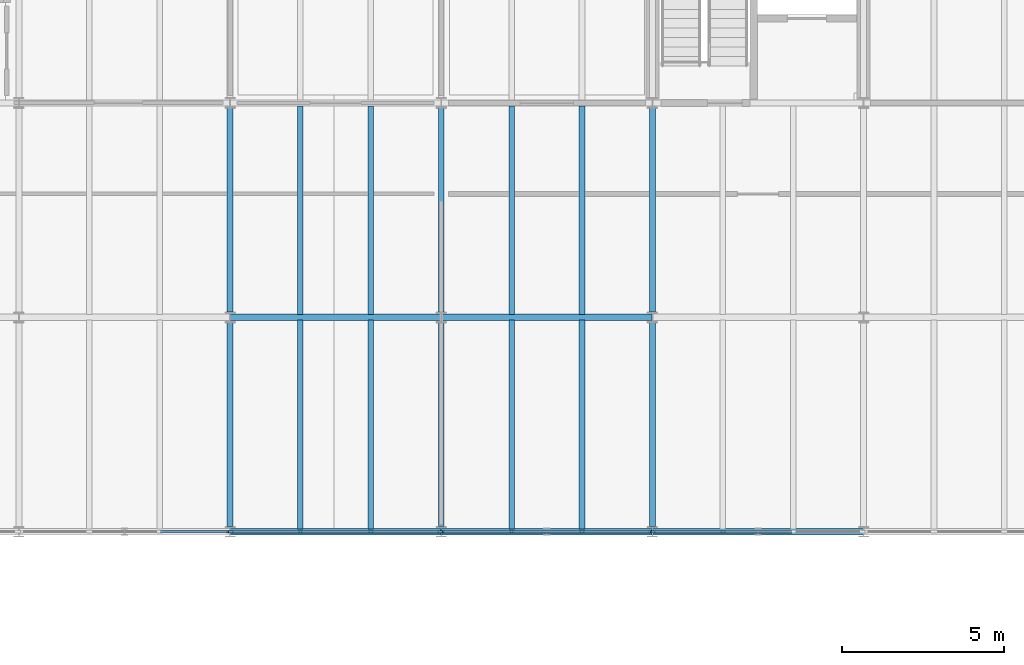
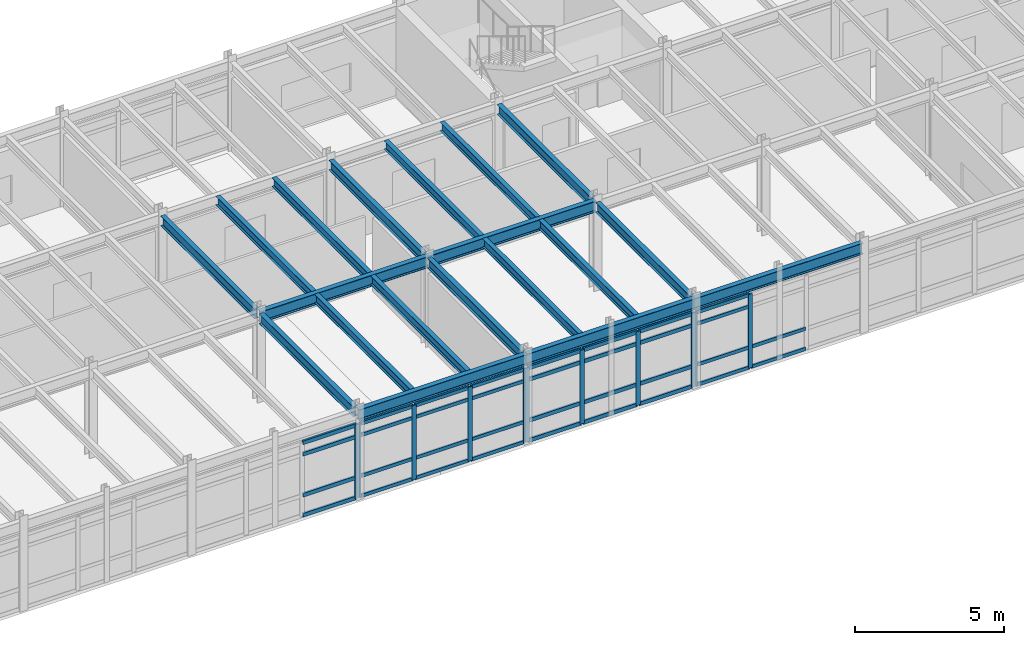
# One storey, part 22 of 49: 45 members, 19 beams, 4 elements without a shape of their own.
"""IFC4 building model written with IfcOpenShell, lengths in metres."""

import ifcopenshell
import ifcopenshell.guid

model = None  # the IFC model being written
_history = None  # IfcOwnerHistory: only IFC2X3 demands one
_inside = {}  # id of a spatial element -> (the spatial element, [elements in it])
_under = {}  # id of a project, library or spatial element -> (it, [spatial elements below it])
_declared = {}  # id of a project -> (the project, [libraries it declares])
_typed = {}  # id of a type object -> (the type object, [elements of that type])
_made_of = {}  # id of a material, layer set ... -> (it, [elements and type objects made of it])


def new_model(schema):
    """Start an empty IFC model of exactly this schema.

    Asked for "IFC4X3", IfcOpenShell would pick the latest addendum, in which some entities
    have other attributes; the version numbers below select the first issue.
    IFC2X3 requires an IfcOwnerHistory on every rooted entity: one is made here for all.
    """
    global model, _history
    if schema == "IFC4X3":
        model = ifcopenshell.file(schema_version=(4, 3, 0, 0))
    else:
        model = ifcopenshell.file(schema=schema)
    _inside.clear()
    _under.clear()
    _declared.clear()
    _typed.clear()
    _made_of.clear()
    _history = None
    if model.schema == "IFC2X3":
        org = make("IfcOrganization", Name="unknown")
        user = make(
            "IfcPersonAndOrganization",
            ThePerson=make("IfcPerson", FamilyName="unknown"),
            TheOrganization=org,
        )
        app = make(
            "IfcApplication",
            ApplicationDeveloper=org,
            Version="unknown",
            ApplicationFullName="unknown",
            ApplicationIdentifier="unknown",
        )
        _history = make(
            "IfcOwnerHistory",
            OwningUser=user,
            OwningApplication=app,
            ChangeAction="ADDED",
            CreationDate=0,
        )
    return model


def make(cls, **values):
    """One entity of the class cls with the attributes given. An attribute that is None is left unset."""
    return model.create_entity(
        cls, **{name: value for name, value in values.items() if value is not None}
    )


def rooted(cls, **values):
    """An entity with a GlobalId (a new one), such as an element, a storey or a relation."""
    return make(cls, GlobalId=ifcopenshell.guid.new(), OwnerHistory=_history, **values)


def si_unit(unit_type, name, prefix=None):
    """IfcSIUnit, for example si_unit("LENGTHUNIT", "METRE", prefix="MILLI")."""
    return make("IfcSIUnit", UnitType=unit_type, Prefix=prefix, Name=name)


def assignment(units):
    """IfcUnitAssignment: the units of a project."""
    return None if units is None else make("IfcUnitAssignment", Units=units)


def point(xyz):
    """IfcCartesianPoint."""
    return None if xyz is None else make("IfcCartesianPoint", Coordinates=xyz)


def direction(xyz):
    """IfcDirection."""
    return None if xyz is None else make("IfcDirection", DirectionRatios=xyz)


def frame(location, z_axis=None, x_axis=None):
    """IfcAxis2Placement3D, a coordinate frame: its origin and axes. An axis left out is left unset."""
    return make(
        "IfcAxis2Placement3D",
        Location=point(location),
        Axis=direction(z_axis),
        RefDirection=direction(x_axis),
    )


def frame_2d(location, x_axis=None):
    """IfcAxis2Placement2D, a coordinate frame in the plane: its origin and x axis."""
    return make(
        "IfcAxis2Placement2D", Location=point(location), RefDirection=direction(x_axis)
    )


def origin():
    """The frame at (0, 0, 0) with its axes left unset."""
    return frame((0.0, 0.0, 0.0))


def origin_2d():
    """The frame at (0, 0) in the plane with its x axis left unset."""
    return frame_2d((0.0, 0.0))


def place(relative_to, where):
    """IfcLocalPlacement: puts the frame where relative to a parent placement (None: the world)."""
    return make(
        "IfcLocalPlacement", PlacementRelTo=relative_to, RelativePlacement=where
    )


def context(
    kind, dimensions, precision=None, world=None, true_north=None, identifier=None
):
    """IfcGeometricRepresentationContext, for example the 3D "Model" context."""
    return make(
        "IfcGeometricRepresentationContext",
        ContextIdentifier=identifier,
        ContextType=kind,
        CoordinateSpaceDimension=dimensions,
        Precision=precision,
        WorldCoordinateSystem=world,
        TrueNorth=true_north,
    )


def subcontext(parent, identifier, kind, view, scale=None):
    """IfcGeometricRepresentationSubContext, for example "Body" below "Model"."""
    return make(
        "IfcGeometricRepresentationSubContext",
        ContextIdentifier=identifier,
        ContextType=kind,
        ParentContext=parent,
        TargetScale=scale,
        TargetView=view,
    )


def project(units=None, contexts=None):
    """IfcProject with its units and contexts."""
    return rooted(
        "IfcProject",
        Name="project",
        RepresentationContexts=contexts,
        UnitsInContext=assignment(units),
    )


def spatial(cls, under=None, at=None, **own):
    """A site, building, storey or space (cls), placed at a placement, below another one or the project."""
    s = rooted(cls, ObjectPlacement=at, **own)
    if under is not None:
        _under.setdefault(under.id(), (under, []))[1].append(s)
    return s


def profile(cls, at=None, kind="AREA", **sizes):
    """A parametric profile (cls). Its sizes go by their IFC names, for example OverallWidth=200.0."""
    return make(cls, ProfileType=kind, Position=at, **sizes)


def rectangle(**sizes):
    """IfcRectangleProfileDef."""
    return profile("IfcRectangleProfileDef", **sizes)


def i_section(**sizes):
    """IfcIShapeProfileDef."""
    return profile("IfcIShapeProfileDef", **sizes)


def extrude(swept, where, along, depth):
    """IfcExtrudedAreaSolid: the profile swept, set in the frame where, extruded along a direction by depth."""
    return make(
        "IfcExtrudedAreaSolid",
        SweptArea=swept,
        Position=where,
        ExtrudedDirection=direction(along),
        Depth=depth,
    )


def shape(context_of_items, identifier, shape_type, items):
    """IfcShapeRepresentation: the items that make up one representation, for example the "Body"."""
    return make(
        "IfcShapeRepresentation",
        ContextOfItems=context_of_items,
        RepresentationIdentifier=identifier,
        RepresentationType=shape_type,
        Items=items,
    )


def material(Name=None, Category=None):
    """IfcMaterial."""
    return make("IfcMaterial", Name=Name, Category=Category)


def layer(
    of_material, thickness, ventilated=None, Name=None, Category=None, Priority=None
):
    """IfcMaterialLayer: one layer of a wall or slab, of a material (None: an air gap)."""
    return make(
        "IfcMaterialLayer",
        Material=of_material,
        LayerThickness=thickness,
        IsVentilated=ventilated,
        Name=Name,
        Category=Category,
        Priority=Priority,
    )


def layer_set(layers, Name=None):
    """IfcMaterialLayerSet."""
    return make("IfcMaterialLayerSet", MaterialLayers=layers, LayerSetName=Name)


def material_profile(
    of_material, cross_section, Name=None, Category=None, Priority=None
):
    """IfcMaterialProfile: a cross section and its material."""
    return make(
        "IfcMaterialProfile",
        Name=Name,
        Material=of_material,
        Profile=cross_section,
        Priority=Priority,
        Category=Category,
    )


def profile_set(profiles, Name=None, composite=None):
    """IfcMaterialProfileSet."""
    return make(
        "IfcMaterialProfileSet",
        Name=Name,
        MaterialProfiles=profiles,
        CompositeProfile=composite,
    )


def made_of(thing, what):
    """Note that an element or type object is made of a material, layer set ...; save() writes the relation."""
    if what is not None:
        _made_of.setdefault(what.id(), (what, []))[1].append(thing)
    return thing


def type_object(cls, material=None, **own):
    """A type object (cls), such as IfcWallType, which elements share."""
    return made_of(rooted(cls, **own), material)


def element(
    cls,
    number,
    at=None,
    inside=None,
    cuts=None,
    type_object=None,
    material=None,
    context=None,
    identifier="Body",
    shape_type=None,
    held_by="IfcProductDefinitionShape",
    body=None,
    shapes=None,
    **own,
):
    """One element of the class cls, such as IfcWall. Its Tag is "e" and its number.

    at: its placement. inside: the storey or other place that contains it. cuts: it is an
    opening in that element (IfcRelVoidsElement). A single representation is given by context,
    identifier, shape_type and body (its items); several are given by shapes. held_by: the class
    of the entity that holds the representations. save() writes the other relations.
    """
    e = rooted(cls, Tag="e%d" % number, ObjectPlacement=at, **own)
    if body is not None:
        shapes = [shape(context, identifier, shape_type, body)]
    if shapes is not None:
        e.Representation = make(held_by, Representations=shapes)
    if inside is not None:
        _inside.setdefault(inside.id(), (inside, []))[1].append(e)
    if cuts is not None:
        rooted(
            "IfcRelVoidsElement", RelatingBuildingElement=cuts, RelatedOpeningElement=e
        )
    if type_object is not None:
        _typed.setdefault(type_object.id(), (type_object, []))[1].append(e)
    return made_of(e, material)


def aggregate(whole, parts):
    """IfcRelAggregates: a whole, such as a stair, and the parts it consists of."""
    return rooted("IfcRelAggregates", RelatingObject=whole, RelatedObjects=parts)


def save(model, path):
    """Write the relations noted so far, then the file.

    IfcRelAggregates (storeys below a building ...), IfcRelContainedInSpatialStructure (elements
    in a storey), IfcRelDefinesByType, IfcRelAssociatesMaterial and IfcRelDeclares: one each for
    every whole, place, type object, material and project.
    """
    for whole, parts in _under.values():
        aggregate(whole, parts)
    for where, things in _inside.values():
        rooted(
            "IfcRelContainedInSpatialStructure",
            RelatedElements=things,
            RelatingStructure=where,
        )
    for kind, things in _typed.values():
        rooted("IfcRelDefinesByType", RelatedObjects=things, RelatingType=kind)
    for what, things in _made_of.values():
        rooted("IfcRelAssociatesMaterial", RelatedObjects=things, RelatingMaterial=what)
    for by, libraries in _declared.values():
        rooted("IfcRelDeclares", RelatingContext=by, RelatedDefinitions=libraries)
    model.write(path)


model = new_model("IFC4")

# Units and contexts
model_context = context("Model", 3, precision=1e-05, world=origin(), true_north=direction((0.0, 1.0)))
body_context = subcontext(model_context, "Body", "Model", "MODEL_VIEW")
ifc_project = project(units=[si_unit("LENGTHUNIT", "METRE"), si_unit("AREAUNIT", "SQUARE_METRE"), si_unit("VOLUMEUNIT", "CUBIC_METRE"), si_unit("PLANEANGLEUNIT", "RADIAN"), si_unit("MASSUNIT", "GRAM", prefix="KILO")], contexts=[model_context])

# Site, building, storey
site_placement = place(None, origin())
site = spatial("IfcSite", under=ifc_project, at=site_placement, CompositionType="ELEMENT")
building_placement = place(site_placement, origin())
building = spatial("IfcBuilding", under=site, at=building_placement, Name="Trelmorton Wharf Fire Station", CompositionType="ELEMENT")
storey_placement = place(building_placement, frame((0.0, 0.0, 9.60009765625)))
storey = spatial("IfcBuildingStorey", under=building, at=storey_placement, Name="L02", CompositionType="ELEMENT", Elevation=9.60009765625)

# Beams
ifc_material_1 = material(Name="Steel Grade 350", Category="steel")
ifc_material_profile_1 = material_profile(ifc_material_1, i_section(OverallWidth=0.177978515625, OverallDepth=0.406005859375, WebThickness=0.0078125, FlangeThickness=0.0126953125, FilletRadius=0.011474609375, at=origin_2d()), Name="410UB59.7")
ifc_profile_set_1 = profile_set([ifc_material_profile_1], Name="Steel Grade 350")
beam_type_1 = type_object("IfcBeamType", Name="BM_410UB60", PredefinedType="BEAM", material=ifc_profile_set_1)
beam_1_placement = place(storey_placement, frame((130.0, 7.95654296875, 3.427001953125), z_axis=(0.0, 1.0, 0.0), x_axis=(-1.0, 0.0, 0.0)))
element("IfcBeam", 1, at=beam_1_placement, inside=storey, type_object=beam_type_1, Name="BM-L02-0837", PredefinedType="BEAM", context=body_context, shape_type="SweptSolid", body=[
    extrude(i_section(OverallWidth=0.177978515625, OverallDepth=0.406005859375, WebThickness=0.0078125, FlangeThickness=0.0126953125, FilletRadius=0.011474609375, at=origin_2d()), origin(), (0.0, 0.0, 1.0), 6.286865234375),
])
beam_2_placement = place(storey_placement, frame((130.0, 14.556396484375, 3.427001953125), z_axis=(0.0, 1.0, 0.0), x_axis=(-1.0, 0.0, 0.0)))
element("IfcBeam", 2, at=beam_2_placement, inside=storey, type_object=beam_type_1, Name="BM-L02-0838", PredefinedType="BEAM", context=body_context, shape_type="SweptSolid", body=[
    extrude(i_section(OverallWidth=0.177978515625, OverallDepth=0.406005859375, WebThickness=0.0078125, FlangeThickness=0.0126953125, FilletRadius=0.011474609375, at=origin_2d()), origin(), (0.0, 0.0, 1.0), 6.287109375),
])
beam_3_placement = place(storey_placement, frame((136.5, 7.95654296875, 3.427001953125), z_axis=(0.0, 1.0, 0.0), x_axis=(-1.0, 0.0, 0.0)))
element("IfcBeam", 3, at=beam_3_placement, inside=storey, type_object=beam_type_1, Name="BM-L02-0843", PredefinedType="BEAM", context=body_context, shape_type="SweptSolid", body=[
    extrude(i_section(OverallWidth=0.177978515625, OverallDepth=0.406005859375, WebThickness=0.0078125, FlangeThickness=0.0126953125, FilletRadius=0.011474609375, at=origin_2d()), origin(), (0.0, 0.0, 1.0), 6.286865234375),
])
beam_4_placement = place(storey_placement, frame((136.5, 14.556396484375, 3.427001953125), z_axis=(0.0, 1.0, 0.0), x_axis=(-1.0, 0.0, 0.0)))
element("IfcBeam", 4, at=beam_4_placement, inside=storey, type_object=beam_type_1, Name="BM-L02-0844", PredefinedType="BEAM", context=body_context, shape_type="SweptSolid", body=[
    extrude(i_section(OverallWidth=0.177978515625, OverallDepth=0.406005859375, WebThickness=0.0078125, FlangeThickness=0.0126953125, FilletRadius=0.011474609375, at=origin_2d()), origin(), (0.0, 0.0, 1.0), 6.287109375),
])
beam_5_placement = place(storey_placement, frame((143.0, 7.95654296875, 3.427001953125), z_axis=(0.0, 1.0, 0.0), x_axis=(-1.0, 0.0, 0.0)))
element("IfcBeam", 5, at=beam_5_placement, inside=storey, type_object=beam_type_1, Name="BM-L02-0849", PredefinedType="BEAM", context=body_context, shape_type="SweptSolid", body=[
    extrude(i_section(OverallWidth=0.177978515625, OverallDepth=0.406005859375, WebThickness=0.0078125, FlangeThickness=0.0126953125, FilletRadius=0.011474609375, at=origin_2d()), origin(), (0.0, 0.0, 1.0), 6.286865234375),
])
beam_6_placement = place(storey_placement, frame((143.0, 14.556396484375, 3.427001953125), z_axis=(0.0, 1.0, 0.0), x_axis=(-1.0, 0.0, 0.0)))
element("IfcBeam", 6, at=beam_6_placement, inside=storey, type_object=beam_type_1, Name="BM-L02-0850", PredefinedType="BEAM", context=body_context, shape_type="SweptSolid", body=[
    extrude(i_section(OverallWidth=0.177978515625, OverallDepth=0.406005859375, WebThickness=0.0078125, FlangeThickness=0.0126953125, FilletRadius=0.011474609375, at=origin_2d()), origin(), (0.0, 0.0, 1.0), 6.287109375),
])
ifc_material_profile_2 = material_profile(ifc_material_1, i_section(OverallWidth=0.19091796875, OverallDepth=0.4599609375, WebThickness=0.010009765625, FlangeThickness=0.01611328125, FilletRadius=0.011474609375, at=origin_2d()), Name="460UB82.1")
ifc_profile_set_2 = profile_set([ifc_material_profile_2], Name="Steel Grade 350")
beam_type_2 = type_object("IfcBeamType", Name="BM_460UB82", PredefinedType="BEAM", material=ifc_profile_set_2)
for number, where, z_axis, x_axis, name in (
    (7, (130.0048828125, 14.39990234375, 3.39990234375), (1.0, 0.0, 0.0), (0.0, 1.0, 0.0), "BM-L02-0699"),
    (8, (136.5048828125, 14.39990234375, 3.39990234375), (1.0, 0.0, 0.0), (0.0, 1.0, 0.0), "BM-L02-0700"),
):
    element("IfcBeam", number, at=place(storey_placement, frame(where, z_axis=z_axis, x_axis=x_axis)), inside=storey, type_object=beam_type_2, Name=name, PredefinedType="BEAM", context=body_context, shape_type="SweptSolid", body=[
        extrude(i_section(OverallWidth=0.19091796875, OverallDepth=0.4599609375, WebThickness=0.010009765625, FlangeThickness=0.01611328125, FilletRadius=0.011474609375, at=origin_2d()), origin(), (0.0, 0.0, 1.0), 6.490234375),
    ])

# Curtain wall, members
ifc_material_2 = material(Name="Anodised aluminium AW-6063", Category="aluminium")
ifc_layer_1 = layer(ifc_material_2, 0.159912109375)
ifc_layer_set_1 = layer_set([ifc_layer_1], Name="Anodised aluminium AW-6063")
curtain_wall_type_1 = type_object("IfcCurtainWallType", Name="CW_CHIC_A", PredefinedType="USERDEFINED", material=ifc_layer_set_1)
curtain_wall_1_placement = place(storey_placement, origin())
curtain_wall_1 = element("IfcCurtainWall", 9, at=curtain_wall_1_placement, inside=storey, type_object=curtain_wall_type_1, Name="CW-V5-L02-053", ObjectType="CHICAGO BAY CURTAIN WALL", PredefinedType="USERDEFINED")
ifc_material_profile_3 = material_profile(ifc_material_2, rectangle(XDim=0.06494140625, YDim=0.159912109375, at=origin_2d()), Name="ALU-65x160")
ifc_profile_set_3 = profile_set([ifc_material_profile_3], Name="Anodised aluminium AW-6063")
member_type_1 = type_object("IfcMemberType", Name="CWM_65x160", PredefinedType="MULLION", material=ifc_profile_set_3)
member_1_placement = place(storey_placement, frame((136.465087890625, 7.800048828125, 0.0), z_axis=(0.0, 0.0, 1.0), x_axis=(0.0, -1.0, 0.0)))
member_1 = element("IfcMember", 10, at=member_1_placement, type_object=member_type_1, Name="CW1 mullion 1", PredefinedType="MULLION", context=body_context, shape_type="SweptSolid", body=[
    extrude(rectangle(XDim=0.06494140625, YDim=0.159912109375, at=origin_2d()), origin(), (0.0, 0.0, 1.0), 3.02001953125),
])
member_2_placement = place(storey_placement, frame((134.331787109375, 7.800048828125, 0.0), z_axis=(0.0, 0.0, 1.0), x_axis=(0.0, -1.0, 0.0)))
member_2 = element("IfcMember", 11, at=member_2_placement, type_object=member_type_1, Name="CW1 mullion 2", PredefinedType="MULLION", context=body_context, shape_type="SweptSolid", body=[
    extrude(rectangle(XDim=0.06494140625, YDim=0.159912109375, at=origin_2d()), origin(), (0.0, 0.0, 1.0), 3.02001953125),
])
member_3_placement = place(storey_placement, frame((132.168212890625, 7.800048828125, 0.0), z_axis=(0.0, 0.0, 1.0), x_axis=(0.0, -1.0, 0.0)))
member_3 = element("IfcMember", 12, at=member_3_placement, type_object=member_type_1, Name="CW1 mullion 3", PredefinedType="MULLION", context=body_context, shape_type="SweptSolid", body=[
    extrude(rectangle(XDim=0.06494140625, YDim=0.159912109375, at=origin_2d()), origin(), (0.0, 0.0, 1.0), 3.02001953125),
])
member_4_placement = place(storey_placement, frame((130.034912109375, 7.800048828125, 0.0), z_axis=(0.0, 0.0, 1.0), x_axis=(0.0, -1.0, 0.0)))
member_4 = element("IfcMember", 13, at=member_4_placement, type_object=member_type_1, Name="CW1 mullion 4", PredefinedType="MULLION", context=body_context, shape_type="SweptSolid", body=[
    extrude(rectangle(XDim=0.06494140625, YDim=0.159912109375, at=origin_2d()), origin(), (0.0, 0.0, 1.0), 3.02001953125),
])

curtain_wall_2_placement = place(storey_placement, origin())
curtain_wall_2 = element("IfcCurtainWall", 14, at=curtain_wall_2_placement, inside=storey, type_object=curtain_wall_type_1, Name="CW-V5-L02-055", ObjectType="CHICAGO BAY CURTAIN WALL", PredefinedType="USERDEFINED")
member_5_placement = place(storey_placement, frame((145.168212890625, 7.800048828125, 0.0), z_axis=(0.0, 0.0, 1.0), x_axis=(0.0, -1.0, 0.0)))
member_5 = element("IfcMember", 15, at=member_5_placement, type_object=member_type_1, Name="CW1 mullion 3", PredefinedType="MULLION", context=body_context, shape_type="SweptSolid", body=[
    extrude(rectangle(XDim=0.06494140625, YDim=0.159912109375, at=origin_2d()), origin(), (0.0, 0.0, 1.0), 3.02001953125),
])
member_6_placement = place(storey_placement, frame((143.034912109375, 7.800048828125, 0.0), z_axis=(0.0, 0.0, 1.0), x_axis=(0.0, -1.0, 0.0)))
member_6 = element("IfcMember", 16, at=member_6_placement, type_object=member_type_1, Name="CW1 mullion 4", PredefinedType="MULLION", context=body_context, shape_type="SweptSolid", body=[
    extrude(rectangle(XDim=0.06494140625, YDim=0.159912109375, at=origin_2d()), origin(), (0.0, 0.0, 1.0), 3.02001953125),
])

# Curtain wall, member
ifc_layer_2 = layer(ifc_material_2, 0.175048828125)
ifc_layer_set_2 = layer_set([ifc_layer_2], Name="Anodised aluminium AW-6063")
curtain_wall_type_2 = type_object("IfcCurtainWallType", Name="CW_CHIC_B", PredefinedType="USERDEFINED", material=ifc_layer_set_2)
curtain_wall_3_placement = place(storey_placement, origin())
curtain_wall_3 = element("IfcCurtainWall", 17, at=curtain_wall_3_placement, inside=storey, type_object=curtain_wall_type_2, Name="CW-V5-L02-052", ObjectType="CHICAGO BAY CURTAIN WALL", PredefinedType="USERDEFINED")
ifc_material_profile_4 = material_profile(ifc_material_2, rectangle(XDim=0.074951171875, YDim=0.175048828125, at=origin_2d()), Name="ALU-75x175")
ifc_profile_set_4 = profile_set([ifc_material_profile_4], Name="Anodised aluminium AW-6063")
member_type_2 = type_object("IfcMemberType", Name="CWM_75x175", PredefinedType="MULLION", material=ifc_profile_set_4)
member_7_placement = place(storey_placement, frame((129.965087890625, 7.800048828125, 0.0), z_axis=(0.0, 0.0, 1.0), x_axis=(0.0, -1.0, 0.0)))
member_7 = element("IfcMember", 18, at=member_7_placement, type_object=member_type_2, Name="CW2 mullion 1", PredefinedType="MULLION", context=body_context, shape_type="SweptSolid", body=[
    extrude(rectangle(XDim=0.074951171875, YDim=0.175048828125, at=origin_2d()), origin(), (0.0, 0.0, 1.0), 3.02001953125),
])

# Curtain wall, members
curtain_wall_4_placement = place(storey_placement, origin())
curtain_wall_4 = element("IfcCurtainWall", 19, at=curtain_wall_4_placement, inside=storey, type_object=curtain_wall_type_2, Name="CW-V5-L02-054", ObjectType="CHICAGO BAY CURTAIN WALL", PredefinedType="USERDEFINED")
member_8_placement = place(storey_placement, frame((142.965087890625, 7.800048828125, 0.0), z_axis=(0.0, 0.0, 1.0), x_axis=(0.0, -1.0, 0.0)))
member_8 = element("IfcMember", 20, at=member_8_placement, type_object=member_type_2, Name="CW2 mullion 1", PredefinedType="MULLION", context=body_context, shape_type="SweptSolid", body=[
    extrude(rectangle(XDim=0.074951171875, YDim=0.175048828125, at=origin_2d()), origin(), (0.0, 0.0, 1.0), 3.02001953125),
])
member_9_placement = place(storey_placement, frame((140.831787109375, 7.800048828125, 0.0), z_axis=(0.0, 0.0, 1.0), x_axis=(0.0, -1.0, 0.0)))
member_9 = element("IfcMember", 21, at=member_9_placement, type_object=member_type_2, Name="CW2 mullion 2", PredefinedType="MULLION", context=body_context, shape_type="SweptSolid", body=[
    extrude(rectangle(XDim=0.074951171875, YDim=0.175048828125, at=origin_2d()), origin(), (0.0, 0.0, 1.0), 3.02001953125),
])
member_10_placement = place(storey_placement, frame((138.668212890625, 7.800048828125, 0.0), z_axis=(0.0, 0.0, 1.0), x_axis=(0.0, -1.0, 0.0)))
member_10 = element("IfcMember", 22, at=member_10_placement, type_object=member_type_2, Name="CW2 mullion 3", PredefinedType="MULLION", context=body_context, shape_type="SweptSolid", body=[
    extrude(rectangle(XDim=0.074951171875, YDim=0.175048828125, at=origin_2d()), origin(), (0.0, 0.0, 1.0), 3.02001953125),
])
member_11_placement = place(storey_placement, frame((136.534912109375, 7.800048828125, 0.0), z_axis=(0.0, 0.0, 1.0), x_axis=(0.0, -1.0, 0.0)))
member_11 = element("IfcMember", 23, at=member_11_placement, type_object=member_type_2, Name="CW2 mullion 4", PredefinedType="MULLION", context=body_context, shape_type="SweptSolid", body=[
    extrude(rectangle(XDim=0.074951171875, YDim=0.175048828125, at=origin_2d()), origin(), (0.0, 0.0, 1.0), 3.02001953125),
])

# Member
ifc_material_profile_5 = material_profile(ifc_material_2, rectangle(XDim=0.06494140625, YDim=0.139892578125, at=origin_2d()), Name="ALU-65x140")
ifc_profile_set_5 = profile_set([ifc_material_profile_5], Name="Anodised aluminium AW-6063")
member_type_3 = type_object("IfcMemberType", Name="CWT_65x140", PredefinedType="USERDEFINED", material=ifc_profile_set_5)
member_12_placement = place(storey_placement, frame((136.43505859375, 7.800048828125, 0.02978515625), z_axis=(-1.0, 0.0, 0.0), x_axis=(0.0, -1.0, 0.0)))
member_12 = element("IfcMember", 24, at=member_12_placement, type_object=member_type_3, Name="CW1 transom 1.1", ObjectType="TRANSOM", PredefinedType="USERDEFINED", context=body_context, shape_type="SweptSolid", body=[
    extrude(rectangle(XDim=0.06494140625, YDim=0.139892578125, at=origin_2d()), origin(), (0.0, 0.0, 1.0), 2.073486328125),
])

member_13_placement = place(storey_placement, frame((136.43505859375, 7.800048828125, 0.849853515625), z_axis=(-1.0, 0.0, 0.0), x_axis=(0.0, -1.0, 0.0)))
member_13 = element("IfcMember", 25, at=member_13_placement, type_object=member_type_3, Name="CW1 transom 1.2", ObjectType="TRANSOM", PredefinedType="USERDEFINED", context=body_context, shape_type="SweptSolid", body=[
    extrude(rectangle(XDim=0.06494140625, YDim=0.139892578125, at=origin_2d()), origin(), (0.0, 0.0, 1.0), 2.073486328125),
])

member_14_placement = place(storey_placement, frame((136.43505859375, 7.800048828125, 2.52001953125), z_axis=(-1.0, 0.0, 0.0), x_axis=(0.0, -1.0, 0.0)))
member_14 = element("IfcMember", 26, at=member_14_placement, type_object=member_type_3, Name="CW1 transom 1.3", ObjectType="TRANSOM", PredefinedType="USERDEFINED", context=body_context, shape_type="SweptSolid", body=[
    extrude(rectangle(XDim=0.06494140625, YDim=0.139892578125, at=origin_2d()), origin(), (0.0, 0.0, 1.0), 2.073486328125),
])

member_15_placement = place(storey_placement, frame((136.43505859375, 7.800048828125, 2.989990234375), z_axis=(-1.0, 0.0, 0.0), x_axis=(0.0, -1.0, 0.0)))
member_15 = element("IfcMember", 27, at=member_15_placement, type_object=member_type_3, Name="CW1 transom 1.4", ObjectType="TRANSOM", PredefinedType="USERDEFINED", context=body_context, shape_type="SweptSolid", body=[
    extrude(rectangle(XDim=0.06494140625, YDim=0.139892578125, at=origin_2d()), origin(), (0.0, 0.0, 1.0), 2.073486328125),
])

member_16_placement = place(storey_placement, frame((134.3017578125, 7.800048828125, 0.02978515625), z_axis=(-1.0, 0.0, 0.0), x_axis=(0.0, -1.0, 0.0)))
member_16 = element("IfcMember", 28, at=member_16_placement, type_object=member_type_3, Name="CW1 transom 2.1", ObjectType="TRANSOM", PredefinedType="USERDEFINED", context=body_context, shape_type="SweptSolid", body=[
    extrude(rectangle(XDim=0.06494140625, YDim=0.139892578125, at=origin_2d()), origin(), (0.0, 0.0, 1.0), 2.103515625),
])

member_17_placement = place(storey_placement, frame((134.3017578125, 7.800048828125, 0.849853515625), z_axis=(-1.0, 0.0, 0.0), x_axis=(0.0, -1.0, 0.0)))
member_17 = element("IfcMember", 29, at=member_17_placement, type_object=member_type_3, Name="CW1 transom 2.2", ObjectType="TRANSOM", PredefinedType="USERDEFINED", context=body_context, shape_type="SweptSolid", body=[
    extrude(rectangle(XDim=0.06494140625, YDim=0.139892578125, at=origin_2d()), origin(), (0.0, 0.0, 1.0), 2.103515625),
])

member_18_placement = place(storey_placement, frame((134.3017578125, 7.800048828125, 2.52001953125), z_axis=(-1.0, 0.0, 0.0), x_axis=(0.0, -1.0, 0.0)))
member_18 = element("IfcMember", 30, at=member_18_placement, type_object=member_type_3, Name="CW1 transom 2.3", ObjectType="TRANSOM", PredefinedType="USERDEFINED", context=body_context, shape_type="SweptSolid", body=[
    extrude(rectangle(XDim=0.06494140625, YDim=0.139892578125, at=origin_2d()), origin(), (0.0, 0.0, 1.0), 2.103515625),
])

member_19_placement = place(storey_placement, frame((134.3017578125, 7.800048828125, 2.989990234375), z_axis=(-1.0, 0.0, 0.0), x_axis=(0.0, -1.0, 0.0)))
member_19 = element("IfcMember", 31, at=member_19_placement, type_object=member_type_3, Name="CW1 transom 2.4", ObjectType="TRANSOM", PredefinedType="USERDEFINED", context=body_context, shape_type="SweptSolid", body=[
    extrude(rectangle(XDim=0.06494140625, YDim=0.139892578125, at=origin_2d()), origin(), (0.0, 0.0, 1.0), 2.103515625),
])

member_20_placement = place(storey_placement, frame((132.138427734375, 7.800048828125, 0.02978515625), z_axis=(-1.0, 0.0, 0.0), x_axis=(0.0, -1.0, 0.0)))
member_20 = element("IfcMember", 32, at=member_20_placement, type_object=member_type_3, Name="CW1 transom 3.1", ObjectType="TRANSOM", PredefinedType="USERDEFINED", context=body_context, shape_type="SweptSolid", body=[
    extrude(rectangle(XDim=0.06494140625, YDim=0.139892578125, at=origin_2d()), origin(), (0.0, 0.0, 1.0), 2.073486328125),
])

member_21_placement = place(storey_placement, frame((132.138427734375, 7.800048828125, 0.849853515625), z_axis=(-1.0, 0.0, 0.0), x_axis=(0.0, -1.0, 0.0)))
member_21 = element("IfcMember", 33, at=member_21_placement, type_object=member_type_3, Name="CW1 transom 3.2", ObjectType="TRANSOM", PredefinedType="USERDEFINED", context=body_context, shape_type="SweptSolid", body=[
    extrude(rectangle(XDim=0.06494140625, YDim=0.139892578125, at=origin_2d()), origin(), (0.0, 0.0, 1.0), 2.073486328125),
])

member_22_placement = place(storey_placement, frame((132.138427734375, 7.800048828125, 2.52001953125), z_axis=(-1.0, 0.0, 0.0), x_axis=(0.0, -1.0, 0.0)))
member_22 = element("IfcMember", 34, at=member_22_placement, type_object=member_type_3, Name="CW1 transom 3.3", ObjectType="TRANSOM", PredefinedType="USERDEFINED", context=body_context, shape_type="SweptSolid", body=[
    extrude(rectangle(XDim=0.06494140625, YDim=0.139892578125, at=origin_2d()), origin(), (0.0, 0.0, 1.0), 2.073486328125),
])

member_23_placement = place(storey_placement, frame((132.138427734375, 7.800048828125, 2.989990234375), z_axis=(-1.0, 0.0, 0.0), x_axis=(0.0, -1.0, 0.0)))
member_23 = element("IfcMember", 35, at=member_23_placement, type_object=member_type_3, Name="CW1 transom 3.4", ObjectType="TRANSOM", PredefinedType="USERDEFINED", context=body_context, shape_type="SweptSolid", body=[
    extrude(rectangle(XDim=0.06494140625, YDim=0.139892578125, at=origin_2d()), origin(), (0.0, 0.0, 1.0), 2.073486328125),
])

aggregate(curtain_wall_1, [member_1, member_2, member_3, member_4, member_12, member_13, member_14, member_15, member_16, member_17, member_18, member_19, member_20, member_21, member_22, member_23])

member_24_placement = place(storey_placement, frame((147.3017578125, 7.800048828125, 0.02978515625), z_axis=(-1.0, 0.0, 0.0), x_axis=(0.0, -1.0, 0.0)))
member_24 = element("IfcMember", 36, at=member_24_placement, type_object=member_type_3, Name="CW1 transom 2.1", ObjectType="TRANSOM", PredefinedType="USERDEFINED", context=body_context, shape_type="SweptSolid", body=[
    extrude(rectangle(XDim=0.06494140625, YDim=0.139892578125, at=origin_2d()), origin(), (0.0, 0.0, 1.0), 2.103515625),
])

member_25_placement = place(storey_placement, frame((147.3017578125, 7.800048828125, 0.849853515625), z_axis=(-1.0, 0.0, 0.0), x_axis=(0.0, -1.0, 0.0)))
member_25 = element("IfcMember", 37, at=member_25_placement, type_object=member_type_3, Name="CW1 transom 2.2", ObjectType="TRANSOM", PredefinedType="USERDEFINED", context=body_context, shape_type="SweptSolid", body=[
    extrude(rectangle(XDim=0.06494140625, YDim=0.139892578125, at=origin_2d()), origin(), (0.0, 0.0, 1.0), 2.103515625),
])

member_26_placement = place(storey_placement, frame((145.138427734375, 7.800048828125, 0.02978515625), z_axis=(-1.0, 0.0, 0.0), x_axis=(0.0, -1.0, 0.0)))
member_26 = element("IfcMember", 38, at=member_26_placement, type_object=member_type_3, Name="CW1 transom 3.1", ObjectType="TRANSOM", PredefinedType="USERDEFINED", context=body_context, shape_type="SweptSolid", body=[
    extrude(rectangle(XDim=0.06494140625, YDim=0.139892578125, at=origin_2d()), origin(), (0.0, 0.0, 1.0), 2.073486328125),
])

member_27_placement = place(storey_placement, frame((145.138427734375, 7.800048828125, 0.849853515625), z_axis=(-1.0, 0.0, 0.0), x_axis=(0.0, -1.0, 0.0)))
member_27 = element("IfcMember", 39, at=member_27_placement, type_object=member_type_3, Name="CW1 transom 3.2", ObjectType="TRANSOM", PredefinedType="USERDEFINED", context=body_context, shape_type="SweptSolid", body=[
    extrude(rectangle(XDim=0.06494140625, YDim=0.139892578125, at=origin_2d()), origin(), (0.0, 0.0, 1.0), 2.073486328125),
])

member_28_placement = place(storey_placement, frame((145.138427734375, 7.800048828125, 2.52001953125), z_axis=(-1.0, 0.0, 0.0), x_axis=(0.0, -1.0, 0.0)))
member_28 = element("IfcMember", 40, at=member_28_placement, type_object=member_type_3, Name="CW1 transom 3.3", ObjectType="TRANSOM", PredefinedType="USERDEFINED", context=body_context, shape_type="SweptSolid", body=[
    extrude(rectangle(XDim=0.06494140625, YDim=0.139892578125, at=origin_2d()), origin(), (0.0, 0.0, 1.0), 2.073486328125),
])

member_29_placement = place(storey_placement, frame((145.138427734375, 7.800048828125, 2.989990234375), z_axis=(-1.0, 0.0, 0.0), x_axis=(0.0, -1.0, 0.0)))
member_29 = element("IfcMember", 41, at=member_29_placement, type_object=member_type_3, Name="CW1 transom 3.4", ObjectType="TRANSOM", PredefinedType="USERDEFINED", context=body_context, shape_type="SweptSolid", body=[
    extrude(rectangle(XDim=0.06494140625, YDim=0.139892578125, at=origin_2d()), origin(), (0.0, 0.0, 1.0), 2.073486328125),
])

aggregate(curtain_wall_2, [member_5, member_6, member_24, member_25, member_26, member_27, member_28, member_29])

ifc_material_profile_6 = material_profile(ifc_material_2, rectangle(XDim=0.074951171875, YDim=0.155029296875, at=origin_2d()), Name="ALU-75x155")
ifc_profile_set_6 = profile_set([ifc_material_profile_6], Name="Anodised aluminium AW-6063")
member_type_4 = type_object("IfcMemberType", Name="CWT_75x155", PredefinedType="USERDEFINED", material=ifc_profile_set_6)
member_30_placement = place(storey_placement, frame((129.93505859375, 7.800048828125, 0.02978515625), z_axis=(-1.0, 0.0, 0.0), x_axis=(0.0, -1.0, 0.0)))
member_30 = element("IfcMember", 42, at=member_30_placement, type_object=member_type_4, Name="CW2 transom 1.1", ObjectType="TRANSOM", PredefinedType="USERDEFINED", context=body_context, shape_type="SweptSolid", body=[
    extrude(rectangle(XDim=0.074951171875, YDim=0.155029296875, at=origin_2d()), origin(), (0.0, 0.0, 1.0), 2.073486328125),
])

member_31_placement = place(storey_placement, frame((129.93505859375, 7.800048828125, 0.849853515625), z_axis=(-1.0, 0.0, 0.0), x_axis=(0.0, -1.0, 0.0)))
member_31 = element("IfcMember", 43, at=member_31_placement, type_object=member_type_4, Name="CW2 transom 1.2", ObjectType="TRANSOM", PredefinedType="USERDEFINED", context=body_context, shape_type="SweptSolid", body=[
    extrude(rectangle(XDim=0.074951171875, YDim=0.155029296875, at=origin_2d()), origin(), (0.0, 0.0, 1.0), 2.073486328125),
])

member_32_placement = place(storey_placement, frame((129.93505859375, 7.800048828125, 2.52001953125), z_axis=(-1.0, 0.0, 0.0), x_axis=(0.0, -1.0, 0.0)))
member_32 = element("IfcMember", 44, at=member_32_placement, type_object=member_type_4, Name="CW2 transom 1.3", ObjectType="TRANSOM", PredefinedType="USERDEFINED", context=body_context, shape_type="SweptSolid", body=[
    extrude(rectangle(XDim=0.074951171875, YDim=0.155029296875, at=origin_2d()), origin(), (0.0, 0.0, 1.0), 2.073486328125),
])

member_33_placement = place(storey_placement, frame((129.93505859375, 7.800048828125, 2.989990234375), z_axis=(-1.0, 0.0, 0.0), x_axis=(0.0, -1.0, 0.0)))
member_33 = element("IfcMember", 45, at=member_33_placement, type_object=member_type_4, Name="CW2 transom 1.4", ObjectType="TRANSOM", PredefinedType="USERDEFINED", context=body_context, shape_type="SweptSolid", body=[
    extrude(rectangle(XDim=0.074951171875, YDim=0.155029296875, at=origin_2d()), origin(), (0.0, 0.0, 1.0), 2.073486328125),
])

aggregate(curtain_wall_3, [member_7, member_30, member_31, member_32, member_33])

member_34_placement = place(storey_placement, frame((142.93505859375, 7.800048828125, 0.02978515625), z_axis=(-1.0, 0.0, 0.0), x_axis=(0.0, -1.0, 0.0)))
member_34 = element("IfcMember", 46, at=member_34_placement, type_object=member_type_4, Name="CW2 transom 1.1", ObjectType="TRANSOM", PredefinedType="USERDEFINED", context=body_context, shape_type="SweptSolid", body=[
    extrude(rectangle(XDim=0.074951171875, YDim=0.155029296875, at=origin_2d()), origin(), (0.0, 0.0, 1.0), 2.073486328125),
])

member_35_placement = place(storey_placement, frame((142.93505859375, 7.800048828125, 0.849853515625), z_axis=(-1.0, 0.0, 0.0), x_axis=(0.0, -1.0, 0.0)))
member_35 = element("IfcMember", 47, at=member_35_placement, type_object=member_type_4, Name="CW2 transom 1.2", ObjectType="TRANSOM", PredefinedType="USERDEFINED", context=body_context, shape_type="SweptSolid", body=[
    extrude(rectangle(XDim=0.074951171875, YDim=0.155029296875, at=origin_2d()), origin(), (0.0, 0.0, 1.0), 2.073486328125),
])

member_36_placement = place(storey_placement, frame((142.93505859375, 7.800048828125, 2.52001953125), z_axis=(-1.0, 0.0, 0.0), x_axis=(0.0, -1.0, 0.0)))
member_36 = element("IfcMember", 48, at=member_36_placement, type_object=member_type_4, Name="CW2 transom 1.3", ObjectType="TRANSOM", PredefinedType="USERDEFINED", context=body_context, shape_type="SweptSolid", body=[
    extrude(rectangle(XDim=0.074951171875, YDim=0.155029296875, at=origin_2d()), origin(), (0.0, 0.0, 1.0), 2.073486328125),
])

member_37_placement = place(storey_placement, frame((142.93505859375, 7.800048828125, 2.989990234375), z_axis=(-1.0, 0.0, 0.0), x_axis=(0.0, -1.0, 0.0)))
member_37 = element("IfcMember", 49, at=member_37_placement, type_object=member_type_4, Name="CW2 transom 1.4", ObjectType="TRANSOM", PredefinedType="USERDEFINED", context=body_context, shape_type="SweptSolid", body=[
    extrude(rectangle(XDim=0.074951171875, YDim=0.155029296875, at=origin_2d()), origin(), (0.0, 0.0, 1.0), 2.073486328125),
])

member_38_placement = place(storey_placement, frame((140.8017578125, 7.800048828125, 0.02978515625), z_axis=(-1.0, 0.0, 0.0), x_axis=(0.0, -1.0, 0.0)))
member_38 = element("IfcMember", 50, at=member_38_placement, type_object=member_type_4, Name="CW2 transom 2.1", ObjectType="TRANSOM", PredefinedType="USERDEFINED", context=body_context, shape_type="SweptSolid", body=[
    extrude(rectangle(XDim=0.074951171875, YDim=0.155029296875, at=origin_2d()), origin(), (0.0, 0.0, 1.0), 2.103515625),
])

member_39_placement = place(storey_placement, frame((140.8017578125, 7.800048828125, 0.849853515625), z_axis=(-1.0, 0.0, 0.0), x_axis=(0.0, -1.0, 0.0)))
member_39 = element("IfcMember", 51, at=member_39_placement, type_object=member_type_4, Name="CW2 transom 2.2", ObjectType="TRANSOM", PredefinedType="USERDEFINED", context=body_context, shape_type="SweptSolid", body=[
    extrude(rectangle(XDim=0.074951171875, YDim=0.155029296875, at=origin_2d()), origin(), (0.0, 0.0, 1.0), 2.103515625),
])

member_40_placement = place(storey_placement, frame((140.8017578125, 7.800048828125, 2.52001953125), z_axis=(-1.0, 0.0, 0.0), x_axis=(0.0, -1.0, 0.0)))
member_40 = element("IfcMember", 52, at=member_40_placement, type_object=member_type_4, Name="CW2 transom 2.3", ObjectType="TRANSOM", PredefinedType="USERDEFINED", context=body_context, shape_type="SweptSolid", body=[
    extrude(rectangle(XDim=0.074951171875, YDim=0.155029296875, at=origin_2d()), origin(), (0.0, 0.0, 1.0), 2.103515625),
])

member_41_placement = place(storey_placement, frame((140.8017578125, 7.800048828125, 2.989990234375), z_axis=(-1.0, 0.0, 0.0), x_axis=(0.0, -1.0, 0.0)))
member_41 = element("IfcMember", 53, at=member_41_placement, type_object=member_type_4, Name="CW2 transom 2.4", ObjectType="TRANSOM", PredefinedType="USERDEFINED", context=body_context, shape_type="SweptSolid", body=[
    extrude(rectangle(XDim=0.074951171875, YDim=0.155029296875, at=origin_2d()), origin(), (0.0, 0.0, 1.0), 2.103515625),
])

member_42_placement = place(storey_placement, frame((138.638427734375, 7.800048828125, 0.02978515625), z_axis=(-1.0, 0.0, 0.0), x_axis=(0.0, -1.0, 0.0)))
member_42 = element("IfcMember", 54, at=member_42_placement, type_object=member_type_4, Name="CW2 transom 3.1", ObjectType="TRANSOM", PredefinedType="USERDEFINED", context=body_context, shape_type="SweptSolid", body=[
    extrude(rectangle(XDim=0.074951171875, YDim=0.155029296875, at=origin_2d()), origin(), (0.0, 0.0, 1.0), 2.073486328125),
])

member_43_placement = place(storey_placement, frame((138.638427734375, 7.800048828125, 0.849853515625), z_axis=(-1.0, 0.0, 0.0), x_axis=(0.0, -1.0, 0.0)))
member_43 = element("IfcMember", 55, at=member_43_placement, type_object=member_type_4, Name="CW2 transom 3.2", ObjectType="TRANSOM", PredefinedType="USERDEFINED", context=body_context, shape_type="SweptSolid", body=[
    extrude(rectangle(XDim=0.074951171875, YDim=0.155029296875, at=origin_2d()), origin(), (0.0, 0.0, 1.0), 2.073486328125),
])

member_44_placement = place(storey_placement, frame((138.638427734375, 7.800048828125, 2.52001953125), z_axis=(-1.0, 0.0, 0.0), x_axis=(0.0, -1.0, 0.0)))
member_44 = element("IfcMember", 56, at=member_44_placement, type_object=member_type_4, Name="CW2 transom 3.3", ObjectType="TRANSOM", PredefinedType="USERDEFINED", context=body_context, shape_type="SweptSolid", body=[
    extrude(rectangle(XDim=0.074951171875, YDim=0.155029296875, at=origin_2d()), origin(), (0.0, 0.0, 1.0), 2.073486328125),
])

member_45_placement = place(storey_placement, frame((138.638427734375, 7.800048828125, 2.989990234375), z_axis=(-1.0, 0.0, 0.0), x_axis=(0.0, -1.0, 0.0)))
member_45 = element("IfcMember", 57, at=member_45_placement, type_object=member_type_4, Name="CW2 transom 3.4", ObjectType="TRANSOM", PredefinedType="USERDEFINED", context=body_context, shape_type="SweptSolid", body=[
    extrude(rectangle(XDim=0.074951171875, YDim=0.155029296875, at=origin_2d()), origin(), (0.0, 0.0, 1.0), 2.073486328125),
])

aggregate(curtain_wall_4, [member_8, member_9, member_10, member_11, member_34, member_35, member_36, member_37, member_38, member_39, member_40, member_41, member_42, member_43, member_44, member_45])

# Beams
ifc_material_profile_7 = material_profile(ifc_material_1, i_section(OverallWidth=0.172119140625, OverallDepth=0.35888671875, WebThickness=0.008056640625, FlangeThickness=0.012939453125, FilletRadius=0.011474609375, at=origin_2d()), Name="360UB56.7")
ifc_profile_set_7 = profile_set([ifc_material_profile_7], Name="Steel Grade 350")
beam_type_3 = type_object("IfcBeamType", Name="JS_360UB57", PredefinedType="JOIST", material=ifc_profile_set_7)
for number, where, z_axis, x_axis, name in (
    (58, (132.166748046875, 7.889892578125, 3.450439453125), (0.0, 1.0, 0.0), (-1.0, 0.0, 0.0), "JS-L02-0279"),
    (59, (134.333251953125, 7.889892578125, 3.450439453125), (0.0, 1.0, 0.0), (-1.0, 0.0, 0.0), "JS-L02-0280"),
):
    element("IfcBeam", number, at=place(storey_placement, frame(where, z_axis=z_axis, x_axis=x_axis)), inside=storey, type_object=beam_type_3, Name=name, PredefinedType="JOIST", context=body_context, shape_type="SweptSolid", body=[
        extrude(i_section(OverallWidth=0.172119140625, OverallDepth=0.35888671875, WebThickness=0.008056640625, FlangeThickness=0.012939453125, FilletRadius=0.011474609375, at=origin_2d()), origin(), (0.0, 0.0, 1.0), 6.420166015625),
    ])
for number, where, z_axis, x_axis, name in (
    (60, (132.166748046875, 14.489990234375, 3.450439453125), (0.0, 1.0, 0.0), (-1.0, 0.0, 0.0), "JS-L02-0281"),
    (61, (134.333251953125, 14.489990234375, 3.450439453125), (0.0, 1.0, 0.0), (-1.0, 0.0, 0.0), "JS-L02-0282"),
):
    element("IfcBeam", number, at=place(storey_placement, frame(where, z_axis=z_axis, x_axis=x_axis)), inside=storey, type_object=beam_type_3, Name=name, PredefinedType="JOIST", context=body_context, shape_type="SweptSolid", body=[
        extrude(i_section(OverallWidth=0.172119140625, OverallDepth=0.35888671875, WebThickness=0.008056640625, FlangeThickness=0.012939453125, FilletRadius=0.011474609375, at=origin_2d()), origin(), (0.0, 0.0, 1.0), 6.419921875),
    ])
for number, where, z_axis, x_axis, name in (
    (62, (138.666748046875, 7.889892578125, 3.450439453125), (0.0, 1.0, 0.0), (-1.0, 0.0, 0.0), "JS-L02-0291"),
    (63, (140.833251953125, 7.889892578125, 3.450439453125), (0.0, 1.0, 0.0), (-1.0, 0.0, 0.0), "JS-L02-0292"),
):
    element("IfcBeam", number, at=place(storey_placement, frame(where, z_axis=z_axis, x_axis=x_axis)), inside=storey, type_object=beam_type_3, Name=name, PredefinedType="JOIST", context=body_context, shape_type="SweptSolid", body=[
        extrude(i_section(OverallWidth=0.172119140625, OverallDepth=0.35888671875, WebThickness=0.008056640625, FlangeThickness=0.012939453125, FilletRadius=0.011474609375, at=origin_2d()), origin(), (0.0, 0.0, 1.0), 6.420166015625),
    ])
for number, where, z_axis, x_axis, name in (
    (64, (138.666748046875, 14.489990234375, 3.450439453125), (0.0, 1.0, 0.0), (-1.0, 0.0, 0.0), "JS-L02-0293"),
    (65, (140.833251953125, 14.489990234375, 3.450439453125), (0.0, 1.0, 0.0), (-1.0, 0.0, 0.0), "JS-L02-0294"),
):
    element("IfcBeam", number, at=place(storey_placement, frame(where, z_axis=z_axis, x_axis=x_axis)), inside=storey, type_object=beam_type_3, Name=name, PredefinedType="JOIST", context=body_context, shape_type="SweptSolid", body=[
        extrude(i_section(OverallWidth=0.172119140625, OverallDepth=0.35888671875, WebThickness=0.008056640625, FlangeThickness=0.012939453125, FilletRadius=0.011474609375, at=origin_2d()), origin(), (0.0, 0.0, 1.0), 6.419921875),
    ])
ifc_material_profile_8 = material_profile(ifc_material_1, i_section(OverallWidth=0.18994140625, OverallDepth=0.45703125, WebThickness=0.009033203125, FlangeThickness=0.014404296875, FilletRadius=0.011474609375, at=origin_2d()), Name="460UB74.6")
ifc_profile_set_8 = profile_set([ifc_material_profile_8], Name="Steel Grade 350")
beam_type_4 = type_object("IfcBeamType", Name="SP_460UB75", PredefinedType="SPANDREL", material=ifc_profile_set_8)
for number, where, z_axis, x_axis, name in (
    (66, (130.0048828125, 7.800048828125, 3.4013671875), (1.0, 0.0, 0.0), (0.0, 1.0, 0.0), "BM-L02-0690"),
    (67, (136.5048828125, 7.800048828125, 3.4013671875), (1.0, 0.0, 0.0), (0.0, 1.0, 0.0), "BM-L02-0691"),
    (68, (143.0048828125, 7.800048828125, 3.4013671875), (1.0, 0.0, 0.0), (0.0, 1.0, 0.0), "BM-L02-0692"),
):
    element("IfcBeam", number, at=place(storey_placement, frame(where, z_axis=z_axis, x_axis=x_axis)), inside=storey, type_object=beam_type_4, Name=name, PredefinedType="SPANDREL", context=body_context, shape_type="SweptSolid", body=[
        extrude(i_section(OverallWidth=0.18994140625, OverallDepth=0.45703125, WebThickness=0.009033203125, FlangeThickness=0.014404296875, FilletRadius=0.011474609375, at=origin_2d()), origin(), (0.0, 0.0, 1.0), 6.490234375),
    ])

save(model, "model.ifc")
